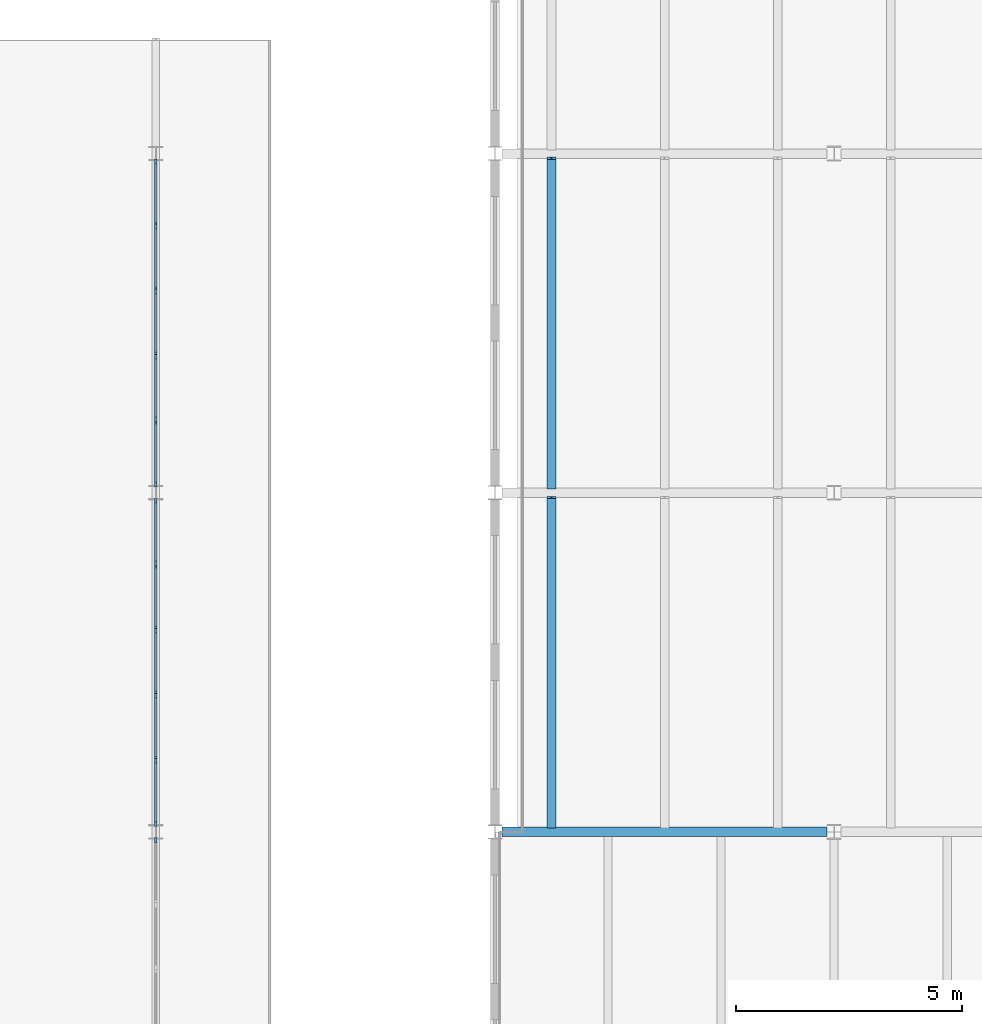
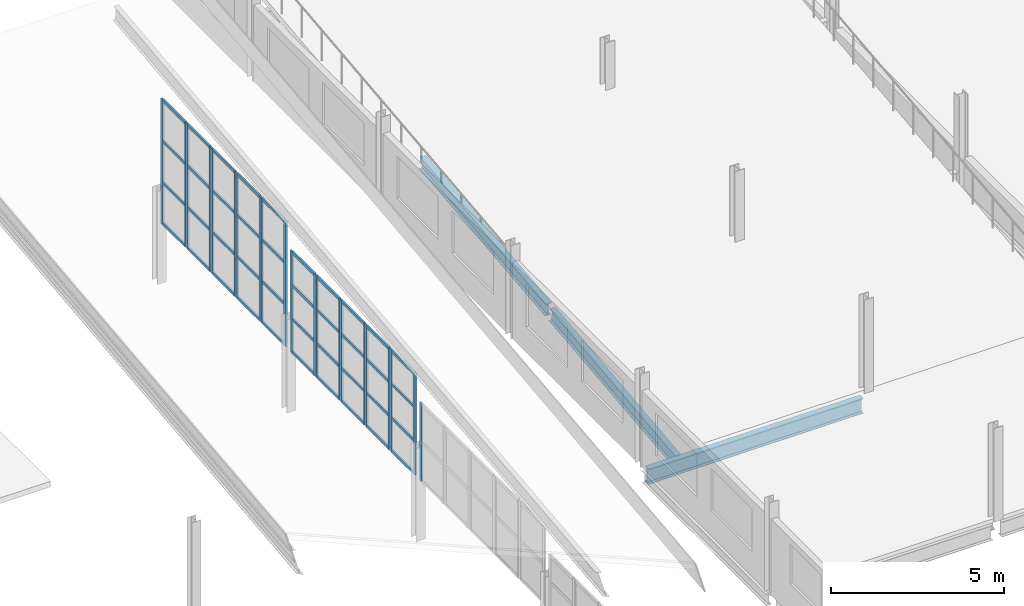
# One storey, part 41 of 199: 61 members, 3 beams, 11 elements without a shape of their own.
"""IFC4 building model written with IfcOpenShell, lengths in metres."""

from ifc_helpers import new_model, si_unit, direction, frame, origin, origin_2d, place, context, subcontext, project, spatial, rectangle, i_section, extrude, material, material_profile, profile_set, type_object, element, aggregate, save


model = new_model("IFC4")

# Units and contexts
model_context = context("Model", 3, precision=1e-05, world=origin(), true_north=direction((0.0, 1.0)))
body_context = subcontext(model_context, "Body", "Model", "MODEL_VIEW")
ifc_project = project(units=[si_unit("LENGTHUNIT", "METRE"), si_unit("AREAUNIT", "SQUARE_METRE"), si_unit("VOLUMEUNIT", "CUBIC_METRE"), si_unit("PLANEANGLEUNIT", "RADIAN"), si_unit("MASSUNIT", "GRAM", prefix="KILO")], contexts=[model_context])

# Site, building, storey
site_placement = place(None, origin())
site = spatial("IfcSite", under=ifc_project, at=site_placement, CompositionType="ELEMENT")
building_placement = place(site_placement, origin())
building = spatial("IfcBuilding", under=site, at=building_placement, Name="Parallax Yard Mobility Hub", CompositionType="ELEMENT")
storey_placement = place(building_placement, frame((0.0, 0.0, 9.89990234375)))
storey = spatial("IfcBuildingStorey", under=building, at=storey_placement, Name="L03", CompositionType="ELEMENT", Elevation=9.89990234375)

# Curtain wall, member
ifc_material_1 = material(Name="Thermally broken aluminium curtain wall system", Category="aluminium")
curtain_wall_type = type_object("IfcCurtainWallType", Name="Clerestory glazing run 60 x 120 frame", PredefinedType="NOTDEFINED", material=ifc_material_1)
curtain_wall_1_placement = place(storey_placement, origin())
curtain_wall_1 = element("IfcCurtainWall", 1, at=curtain_wall_1_placement, inside=storey, type_object=curtain_wall_type, Name="Clerestory glazing run Bicycle and shared-mobility hall east bay 4 level L02", PredefinedType="NOTDEFINED")
ifc_material_2 = material(Name="Extruded aluminium", Category="aluminium")
ifc_material_profile_1 = material_profile(ifc_material_2, rectangle(XDim=0.06005859375, YDim=0.1201171875, at=origin_2d()), Name="Mullion 60 x 120")
ifc_profile_set_1 = profile_set([ifc_material_profile_1], Name="Extruded aluminium")
member_type_1 = type_object("IfcMemberType", Name="Mullion 60 x 120", PredefinedType="MULLION", material=ifc_profile_set_1)
member_1_placement = place(storey_placement, frame((172.5, 37.31640625, 2.140625), z_axis=(0.0, 0.0, 1.0), x_axis=(-1.0, 0.0, 0.0)))
member_1 = element("IfcMember", 2, at=member_1_placement, type_object=member_type_1, Name="CW4 mullion 2", PredefinedType="MULLION", context=body_context, shape_type="SweptSolid", body=[
    extrude(rectangle(XDim=0.06005859375, YDim=0.1201171875, at=origin_2d()), origin(), (0.0, 0.0, 1.0), 2.752197265625),
])
aggregate(curtain_wall_1, [member_1])

# Curtain wall, members
curtain_wall_2_placement = place(storey_placement, origin())
curtain_wall_2 = element("IfcCurtainWall", 3, at=curtain_wall_2_placement, inside=storey, type_object=curtain_wall_type, Name="Clerestory glazing run Bicycle and shared-mobility hall east bay 5 level L02", PredefinedType="NOTDEFINED")
member_2_placement = place(storey_placement, frame((172.5, 37.68359375, 2.140625), z_axis=(0.0, 0.0, 1.0), x_axis=(-1.0, 0.0, 0.0)))
member_2 = element("IfcMember", 4, at=member_2_placement, type_object=member_type_1, Name="CW4 mullion 1", PredefinedType="MULLION", context=body_context, shape_type="SweptSolid", body=[
    extrude(rectangle(XDim=0.06005859375, YDim=0.1201171875, at=origin_2d()), origin(), (0.0, 0.0, 1.0), 3.58056640625),
])
member_3_placement = place(storey_placement, frame((172.5, 39.06201171875, 2.140625), z_axis=(0.0, 0.0, 1.0), x_axis=(-1.0, 0.0, 0.0)))
member_3 = element("IfcMember", 5, at=member_3_placement, type_object=member_type_1, Name="CW4 mullion 2", PredefinedType="MULLION", context=body_context, shape_type="SweptSolid", body=[
    extrude(rectangle(XDim=0.06005859375, YDim=0.1201171875, at=origin_2d()), origin(), (0.0, 0.0, 1.0), 3.58056640625),
])

curtain_wall_3_placement = place(storey_placement, origin())
curtain_wall_3 = element("IfcCurtainWall", 6, at=curtain_wall_3_placement, inside=storey, type_object=curtain_wall_type, Name="Clerestory glazing run Bicycle and shared-mobility hall east bay 5 level L02", PredefinedType="NOTDEFINED")
member_4_placement = place(storey_placement, frame((172.5, 39.1220703125, 2.140625), z_axis=(0.0, 0.0, 1.0), x_axis=(-1.0, 0.0, 0.0)))
member_4 = element("IfcMember", 7, at=member_4_placement, type_object=member_type_1, Name="CW4 mullion 1", PredefinedType="MULLION", context=body_context, shape_type="SweptSolid", body=[
    extrude(rectangle(XDim=0.06005859375, YDim=0.1201171875, at=origin_2d()), origin(), (0.0, 0.0, 1.0), 3.58056640625),
])
member_5_placement = place(storey_placement, frame((172.5, 40.500732421875, 2.140625), z_axis=(0.0, 0.0, 1.0), x_axis=(-1.0, 0.0, 0.0)))
member_5 = element("IfcMember", 8, at=member_5_placement, type_object=member_type_1, Name="CW4 mullion 2", PredefinedType="MULLION", context=body_context, shape_type="SweptSolid", body=[
    extrude(rectangle(XDim=0.06005859375, YDim=0.1201171875, at=origin_2d()), origin(), (0.0, 0.0, 1.0), 3.58056640625),
])

curtain_wall_4_placement = place(storey_placement, origin())
curtain_wall_4 = element("IfcCurtainWall", 9, at=curtain_wall_4_placement, inside=storey, type_object=curtain_wall_type, Name="Clerestory glazing run Bicycle and shared-mobility hall east bay 5 level L02", PredefinedType="NOTDEFINED")
member_6_placement = place(storey_placement, frame((172.5, 40.560791015625, 2.140625), z_axis=(0.0, 0.0, 1.0), x_axis=(-1.0, 0.0, 0.0)))
member_6 = element("IfcMember", 10, at=member_6_placement, type_object=member_type_1, Name="CW4 mullion 1", PredefinedType="MULLION", context=body_context, shape_type="SweptSolid", body=[
    extrude(rectangle(XDim=0.06005859375, YDim=0.1201171875, at=origin_2d()), origin(), (0.0, 0.0, 1.0), 3.58056640625),
])
member_7_placement = place(storey_placement, frame((172.5, 41.939208984375, 2.140625), z_axis=(0.0, 0.0, 1.0), x_axis=(-1.0, 0.0, 0.0)))
member_7 = element("IfcMember", 11, at=member_7_placement, type_object=member_type_1, Name="CW4 mullion 2", PredefinedType="MULLION", context=body_context, shape_type="SweptSolid", body=[
    extrude(rectangle(XDim=0.06005859375, YDim=0.1201171875, at=origin_2d()), origin(), (0.0, 0.0, 1.0), 3.58056640625),
])

curtain_wall_5_placement = place(storey_placement, origin())
curtain_wall_5 = element("IfcCurtainWall", 12, at=curtain_wall_5_placement, inside=storey, type_object=curtain_wall_type, Name="Clerestory glazing run Bicycle and shared-mobility hall east bay 5 level L02", PredefinedType="NOTDEFINED")
member_8_placement = place(storey_placement, frame((172.5, 41.999267578125, 2.140625), z_axis=(0.0, 0.0, 1.0), x_axis=(-1.0, 0.0, 0.0)))
member_8 = element("IfcMember", 13, at=member_8_placement, type_object=member_type_1, Name="CW4 mullion 1", PredefinedType="MULLION", context=body_context, shape_type="SweptSolid", body=[
    extrude(rectangle(XDim=0.06005859375, YDim=0.1201171875, at=origin_2d()), origin(), (0.0, 0.0, 1.0), 3.58056640625),
])
member_9_placement = place(storey_placement, frame((172.5, 43.3779296875, 2.140625), z_axis=(0.0, 0.0, 1.0), x_axis=(-1.0, 0.0, 0.0)))
member_9 = element("IfcMember", 14, at=member_9_placement, type_object=member_type_1, Name="CW4 mullion 2", PredefinedType="MULLION", context=body_context, shape_type="SweptSolid", body=[
    extrude(rectangle(XDim=0.06005859375, YDim=0.1201171875, at=origin_2d()), origin(), (0.0, 0.0, 1.0), 3.58056640625),
])

curtain_wall_6_placement = place(storey_placement, origin())
curtain_wall_6 = element("IfcCurtainWall", 15, at=curtain_wall_6_placement, inside=storey, type_object=curtain_wall_type, Name="Clerestory glazing run Bicycle and shared-mobility hall east bay 5 level L02", PredefinedType="NOTDEFINED")
member_10_placement = place(storey_placement, frame((172.5, 43.43798828125, 2.140625), z_axis=(0.0, 0.0, 1.0), x_axis=(-1.0, 0.0, 0.0)))
member_10 = element("IfcMember", 16, at=member_10_placement, type_object=member_type_1, Name="CW4 mullion 1", PredefinedType="MULLION", context=body_context, shape_type="SweptSolid", body=[
    extrude(rectangle(XDim=0.06005859375, YDim=0.1201171875, at=origin_2d()), origin(), (0.0, 0.0, 1.0), 3.58056640625),
])
member_11_placement = place(storey_placement, frame((172.5, 44.81640625, 2.140625), z_axis=(0.0, 0.0, 1.0), x_axis=(-1.0, 0.0, 0.0)))
member_11 = element("IfcMember", 17, at=member_11_placement, type_object=member_type_1, Name="CW4 mullion 2", PredefinedType="MULLION", context=body_context, shape_type="SweptSolid", body=[
    extrude(rectangle(XDim=0.06005859375, YDim=0.1201171875, at=origin_2d()), origin(), (0.0, 0.0, 1.0), 3.58056640625),
])

curtain_wall_7_placement = place(storey_placement, origin())
curtain_wall_7 = element("IfcCurtainWall", 18, at=curtain_wall_7_placement, inside=storey, type_object=curtain_wall_type, Name="Clerestory glazing run Bicycle and shared-mobility hall east bay 6 level L02", PredefinedType="NOTDEFINED")
member_12_placement = place(storey_placement, frame((172.5, 45.18359375, 2.140625), z_axis=(0.0, 0.0, 1.0), x_axis=(-1.0, 0.0, 0.0)))
member_12 = element("IfcMember", 19, at=member_12_placement, type_object=member_type_1, Name="CW4 mullion 1", PredefinedType="MULLION", context=body_context, shape_type="SweptSolid", body=[
    extrude(rectangle(XDim=0.06005859375, YDim=0.1201171875, at=origin_2d()), origin(), (0.0, 0.0, 1.0), 4.408935546875),
])
member_13_placement = place(storey_placement, frame((172.5, 46.56201171875, 2.140625), z_axis=(0.0, 0.0, 1.0), x_axis=(-1.0, 0.0, 0.0)))
member_13 = element("IfcMember", 20, at=member_13_placement, type_object=member_type_1, Name="CW4 mullion 2", PredefinedType="MULLION", context=body_context, shape_type="SweptSolid", body=[
    extrude(rectangle(XDim=0.06005859375, YDim=0.1201171875, at=origin_2d()), origin(), (0.0, 0.0, 1.0), 4.408935546875),
])

curtain_wall_8_placement = place(storey_placement, origin())
curtain_wall_8 = element("IfcCurtainWall", 21, at=curtain_wall_8_placement, inside=storey, type_object=curtain_wall_type, Name="Clerestory glazing run Bicycle and shared-mobility hall east bay 6 level L02", PredefinedType="NOTDEFINED")
member_14_placement = place(storey_placement, frame((172.5, 46.6220703125, 2.140625), z_axis=(0.0, 0.0, 1.0), x_axis=(-1.0, 0.0, 0.0)))
member_14 = element("IfcMember", 22, at=member_14_placement, type_object=member_type_1, Name="CW4 mullion 1", PredefinedType="MULLION", context=body_context, shape_type="SweptSolid", body=[
    extrude(rectangle(XDim=0.06005859375, YDim=0.1201171875, at=origin_2d()), origin(), (0.0, 0.0, 1.0), 4.408935546875),
])
member_15_placement = place(storey_placement, frame((172.5, 48.000732421875, 2.140625), z_axis=(0.0, 0.0, 1.0), x_axis=(-1.0, 0.0, 0.0)))
member_15 = element("IfcMember", 23, at=member_15_placement, type_object=member_type_1, Name="CW4 mullion 2", PredefinedType="MULLION", context=body_context, shape_type="SweptSolid", body=[
    extrude(rectangle(XDim=0.06005859375, YDim=0.1201171875, at=origin_2d()), origin(), (0.0, 0.0, 1.0), 4.408935546875),
])

curtain_wall_9_placement = place(storey_placement, origin())
curtain_wall_9 = element("IfcCurtainWall", 24, at=curtain_wall_9_placement, inside=storey, type_object=curtain_wall_type, Name="Clerestory glazing run Bicycle and shared-mobility hall east bay 6 level L02", PredefinedType="NOTDEFINED")
member_16_placement = place(storey_placement, frame((172.5, 48.060791015625, 2.140625), z_axis=(0.0, 0.0, 1.0), x_axis=(-1.0, 0.0, 0.0)))
member_16 = element("IfcMember", 25, at=member_16_placement, type_object=member_type_1, Name="CW4 mullion 1", PredefinedType="MULLION", context=body_context, shape_type="SweptSolid", body=[
    extrude(rectangle(XDim=0.06005859375, YDim=0.1201171875, at=origin_2d()), origin(), (0.0, 0.0, 1.0), 4.408935546875),
])
member_17_placement = place(storey_placement, frame((172.5, 49.439208984375, 2.140625), z_axis=(0.0, 0.0, 1.0), x_axis=(-1.0, 0.0, 0.0)))
member_17 = element("IfcMember", 26, at=member_17_placement, type_object=member_type_1, Name="CW4 mullion 2", PredefinedType="MULLION", context=body_context, shape_type="SweptSolid", body=[
    extrude(rectangle(XDim=0.06005859375, YDim=0.1201171875, at=origin_2d()), origin(), (0.0, 0.0, 1.0), 4.408935546875),
])

curtain_wall_10_placement = place(storey_placement, origin())
curtain_wall_10 = element("IfcCurtainWall", 27, at=curtain_wall_10_placement, inside=storey, type_object=curtain_wall_type, Name="Clerestory glazing run Bicycle and shared-mobility hall east bay 6 level L02", PredefinedType="NOTDEFINED")
member_18_placement = place(storey_placement, frame((172.5, 49.499267578125, 2.140625), z_axis=(0.0, 0.0, 1.0), x_axis=(-1.0, 0.0, 0.0)))
member_18 = element("IfcMember", 28, at=member_18_placement, type_object=member_type_1, Name="CW4 mullion 1", PredefinedType="MULLION", context=body_context, shape_type="SweptSolid", body=[
    extrude(rectangle(XDim=0.06005859375, YDim=0.1201171875, at=origin_2d()), origin(), (0.0, 0.0, 1.0), 4.408935546875),
])
member_19_placement = place(storey_placement, frame((172.5, 50.8779296875, 2.140625), z_axis=(0.0, 0.0, 1.0), x_axis=(-1.0, 0.0, 0.0)))
member_19 = element("IfcMember", 29, at=member_19_placement, type_object=member_type_1, Name="CW4 mullion 2", PredefinedType="MULLION", context=body_context, shape_type="SweptSolid", body=[
    extrude(rectangle(XDim=0.06005859375, YDim=0.1201171875, at=origin_2d()), origin(), (0.0, 0.0, 1.0), 4.408935546875),
])

curtain_wall_11_placement = place(storey_placement, origin())
curtain_wall_11 = element("IfcCurtainWall", 30, at=curtain_wall_11_placement, inside=storey, type_object=curtain_wall_type, Name="Clerestory glazing run Bicycle and shared-mobility hall east bay 6 level L02", PredefinedType="NOTDEFINED")
member_20_placement = place(storey_placement, frame((172.5, 50.93798828125, 2.140625), z_axis=(0.0, 0.0, 1.0), x_axis=(-1.0, 0.0, 0.0)))
member_20 = element("IfcMember", 31, at=member_20_placement, type_object=member_type_1, Name="CW4 mullion 1", PredefinedType="MULLION", context=body_context, shape_type="SweptSolid", body=[
    extrude(rectangle(XDim=0.06005859375, YDim=0.1201171875, at=origin_2d()), origin(), (0.0, 0.0, 1.0), 4.408935546875),
])
member_21_placement = place(storey_placement, frame((172.5, 52.31640625, 2.140625), z_axis=(0.0, 0.0, 1.0), x_axis=(-1.0, 0.0, 0.0)))
member_21 = element("IfcMember", 32, at=member_21_placement, type_object=member_type_1, Name="CW4 mullion 2", PredefinedType="MULLION", context=body_context, shape_type="SweptSolid", body=[
    extrude(rectangle(XDim=0.06005859375, YDim=0.1201171875, at=origin_2d()), origin(), (0.0, 0.0, 1.0), 4.408935546875),
])

# Member
ifc_material_profile_2 = material_profile(ifc_material_2, rectangle(XDim=0.06005859375, YDim=0.10009765625, at=origin_2d()), Name="Transom 60 x 100")
ifc_profile_set_2 = profile_set([ifc_material_profile_2], Name="Extruded aluminium")
member_type_2 = type_object("IfcMemberType", Name="Transom 60 x 100", PredefinedType="USERDEFINED", material=ifc_profile_set_2)
member_22_placement = place(storey_placement, frame((172.5, 37.71337890625, 2.170654296875), z_axis=(0.0, 1.0, 0.0), x_axis=(-1.0, 0.0, 0.0)))
member_22 = element("IfcMember", 33, at=member_22_placement, type_object=member_type_2, Name="CW4 transom 1.1", ObjectType="TRANSOM", PredefinedType="USERDEFINED", context=body_context, shape_type="SweptSolid", body=[
    extrude(rectangle(XDim=0.06005859375, YDim=0.10009765625, at=origin_2d()), origin(), (0.0, 0.0, 1.0), 1.318603515625),
])

member_23_placement = place(storey_placement, frame((172.5, 37.71337890625, 3.333984375), z_axis=(0.0, 1.0, 0.0), x_axis=(-1.0, 0.0, 0.0)))
member_23 = element("IfcMember", 34, at=member_23_placement, type_object=member_type_2, Name="CW4 transom 1.2", ObjectType="TRANSOM", PredefinedType="USERDEFINED", context=body_context, shape_type="SweptSolid", body=[
    extrude(rectangle(XDim=0.06005859375, YDim=0.10009765625, at=origin_2d()), origin(), (0.0, 0.0, 1.0), 1.318603515625),
])

member_24_placement = place(storey_placement, frame((172.5, 37.71337890625, 4.527587890625), z_axis=(0.0, 1.0, 0.0), x_axis=(-1.0, 0.0, 0.0)))
member_24 = element("IfcMember", 35, at=member_24_placement, type_object=member_type_2, Name="CW4 transom 1.3", ObjectType="TRANSOM", PredefinedType="USERDEFINED", context=body_context, shape_type="SweptSolid", body=[
    extrude(rectangle(XDim=0.06005859375, YDim=0.10009765625, at=origin_2d()), origin(), (0.0, 0.0, 1.0), 1.318603515625),
])

member_25_placement = place(storey_placement, frame((172.5, 37.71337890625, 5.691162109375), z_axis=(0.0, 1.0, 0.0), x_axis=(-1.0, 0.0, 0.0)))
member_25 = element("IfcMember", 36, at=member_25_placement, type_object=member_type_2, Name="CW4 transom 1.4", ObjectType="TRANSOM", PredefinedType="USERDEFINED", context=body_context, shape_type="SweptSolid", body=[
    extrude(rectangle(XDim=0.06005859375, YDim=0.10009765625, at=origin_2d()), origin(), (0.0, 0.0, 1.0), 1.318603515625),
])

aggregate(curtain_wall_2, [member_2, member_3, member_22, member_23, member_24, member_25])

member_26_placement = place(storey_placement, frame((172.5, 39.152099609375, 2.170654296875), z_axis=(0.0, 1.0, 0.0), x_axis=(-1.0, 0.0, 0.0)))
member_26 = element("IfcMember", 37, at=member_26_placement, type_object=member_type_2, Name="CW4 transom 1.1", ObjectType="TRANSOM", PredefinedType="USERDEFINED", context=body_context, shape_type="SweptSolid", body=[
    extrude(rectangle(XDim=0.06005859375, YDim=0.10009765625, at=origin_2d()), origin(), (0.0, 0.0, 1.0), 1.318603515625),
])

member_27_placement = place(storey_placement, frame((172.5, 39.152099609375, 3.333984375), z_axis=(0.0, 1.0, 0.0), x_axis=(-1.0, 0.0, 0.0)))
member_27 = element("IfcMember", 38, at=member_27_placement, type_object=member_type_2, Name="CW4 transom 1.2", ObjectType="TRANSOM", PredefinedType="USERDEFINED", context=body_context, shape_type="SweptSolid", body=[
    extrude(rectangle(XDim=0.06005859375, YDim=0.10009765625, at=origin_2d()), origin(), (0.0, 0.0, 1.0), 1.318603515625),
])

member_28_placement = place(storey_placement, frame((172.5, 39.152099609375, 4.527587890625), z_axis=(0.0, 1.0, 0.0), x_axis=(-1.0, 0.0, 0.0)))
member_28 = element("IfcMember", 39, at=member_28_placement, type_object=member_type_2, Name="CW4 transom 1.3", ObjectType="TRANSOM", PredefinedType="USERDEFINED", context=body_context, shape_type="SweptSolid", body=[
    extrude(rectangle(XDim=0.06005859375, YDim=0.10009765625, at=origin_2d()), origin(), (0.0, 0.0, 1.0), 1.318603515625),
])

member_29_placement = place(storey_placement, frame((172.5, 39.152099609375, 5.691162109375), z_axis=(0.0, 1.0, 0.0), x_axis=(-1.0, 0.0, 0.0)))
member_29 = element("IfcMember", 40, at=member_29_placement, type_object=member_type_2, Name="CW4 transom 1.4", ObjectType="TRANSOM", PredefinedType="USERDEFINED", context=body_context, shape_type="SweptSolid", body=[
    extrude(rectangle(XDim=0.06005859375, YDim=0.10009765625, at=origin_2d()), origin(), (0.0, 0.0, 1.0), 1.318603515625),
])

aggregate(curtain_wall_3, [member_4, member_5, member_26, member_27, member_28, member_29])

member_30_placement = place(storey_placement, frame((172.5, 40.5908203125, 2.170654296875), z_axis=(0.0, 1.0, 0.0), x_axis=(-1.0, 0.0, 0.0)))
member_30 = element("IfcMember", 41, at=member_30_placement, type_object=member_type_2, Name="CW4 transom 1.1", ObjectType="TRANSOM", PredefinedType="USERDEFINED", context=body_context, shape_type="SweptSolid", body=[
    extrude(rectangle(XDim=0.06005859375, YDim=0.10009765625, at=origin_2d()), origin(), (0.0, 0.0, 1.0), 1.318359375),
])

member_31_placement = place(storey_placement, frame((172.5, 40.5908203125, 3.333984375), z_axis=(0.0, 1.0, 0.0), x_axis=(-1.0, 0.0, 0.0)))
member_31 = element("IfcMember", 42, at=member_31_placement, type_object=member_type_2, Name="CW4 transom 1.2", ObjectType="TRANSOM", PredefinedType="USERDEFINED", context=body_context, shape_type="SweptSolid", body=[
    extrude(rectangle(XDim=0.06005859375, YDim=0.10009765625, at=origin_2d()), origin(), (0.0, 0.0, 1.0), 1.318359375),
])

member_32_placement = place(storey_placement, frame((172.5, 40.5908203125, 4.527587890625), z_axis=(0.0, 1.0, 0.0), x_axis=(-1.0, 0.0, 0.0)))
member_32 = element("IfcMember", 43, at=member_32_placement, type_object=member_type_2, Name="CW4 transom 1.3", ObjectType="TRANSOM", PredefinedType="USERDEFINED", context=body_context, shape_type="SweptSolid", body=[
    extrude(rectangle(XDim=0.06005859375, YDim=0.10009765625, at=origin_2d()), origin(), (0.0, 0.0, 1.0), 1.318359375),
])

member_33_placement = place(storey_placement, frame((172.5, 40.5908203125, 5.691162109375), z_axis=(0.0, 1.0, 0.0), x_axis=(-1.0, 0.0, 0.0)))
member_33 = element("IfcMember", 44, at=member_33_placement, type_object=member_type_2, Name="CW4 transom 1.4", ObjectType="TRANSOM", PredefinedType="USERDEFINED", context=body_context, shape_type="SweptSolid", body=[
    extrude(rectangle(XDim=0.06005859375, YDim=0.10009765625, at=origin_2d()), origin(), (0.0, 0.0, 1.0), 1.318359375),
])

aggregate(curtain_wall_4, [member_6, member_7, member_30, member_31, member_32, member_33])

member_34_placement = place(storey_placement, frame((172.5, 42.029296875, 2.170654296875), z_axis=(0.0, 1.0, 0.0), x_axis=(-1.0, 0.0, 0.0)))
member_34 = element("IfcMember", 45, at=member_34_placement, type_object=member_type_2, Name="CW4 transom 1.1", ObjectType="TRANSOM", PredefinedType="USERDEFINED", context=body_context, shape_type="SweptSolid", body=[
    extrude(rectangle(XDim=0.06005859375, YDim=0.10009765625, at=origin_2d()), origin(), (0.0, 0.0, 1.0), 1.318603515625),
])

member_35_placement = place(storey_placement, frame((172.5, 42.029296875, 3.333984375), z_axis=(0.0, 1.0, 0.0), x_axis=(-1.0, 0.0, 0.0)))
member_35 = element("IfcMember", 46, at=member_35_placement, type_object=member_type_2, Name="CW4 transom 1.2", ObjectType="TRANSOM", PredefinedType="USERDEFINED", context=body_context, shape_type="SweptSolid", body=[
    extrude(rectangle(XDim=0.06005859375, YDim=0.10009765625, at=origin_2d()), origin(), (0.0, 0.0, 1.0), 1.318603515625),
])

member_36_placement = place(storey_placement, frame((172.5, 42.029296875, 4.527587890625), z_axis=(0.0, 1.0, 0.0), x_axis=(-1.0, 0.0, 0.0)))
member_36 = element("IfcMember", 47, at=member_36_placement, type_object=member_type_2, Name="CW4 transom 1.3", ObjectType="TRANSOM", PredefinedType="USERDEFINED", context=body_context, shape_type="SweptSolid", body=[
    extrude(rectangle(XDim=0.06005859375, YDim=0.10009765625, at=origin_2d()), origin(), (0.0, 0.0, 1.0), 1.318603515625),
])

member_37_placement = place(storey_placement, frame((172.5, 42.029296875, 5.691162109375), z_axis=(0.0, 1.0, 0.0), x_axis=(-1.0, 0.0, 0.0)))
member_37 = element("IfcMember", 48, at=member_37_placement, type_object=member_type_2, Name="CW4 transom 1.4", ObjectType="TRANSOM", PredefinedType="USERDEFINED", context=body_context, shape_type="SweptSolid", body=[
    extrude(rectangle(XDim=0.06005859375, YDim=0.10009765625, at=origin_2d()), origin(), (0.0, 0.0, 1.0), 1.318603515625),
])

aggregate(curtain_wall_5, [member_8, member_9, member_34, member_35, member_36, member_37])

member_38_placement = place(storey_placement, frame((172.5, 43.468017578125, 2.170654296875), z_axis=(0.0, 1.0, 0.0), x_axis=(-1.0, 0.0, 0.0)))
member_38 = element("IfcMember", 49, at=member_38_placement, type_object=member_type_2, Name="CW4 transom 1.1", ObjectType="TRANSOM", PredefinedType="USERDEFINED", context=body_context, shape_type="SweptSolid", body=[
    extrude(rectangle(XDim=0.06005859375, YDim=0.10009765625, at=origin_2d()), origin(), (0.0, 0.0, 1.0), 1.318603515625),
])

member_39_placement = place(storey_placement, frame((172.5, 43.468017578125, 3.333984375), z_axis=(0.0, 1.0, 0.0), x_axis=(-1.0, 0.0, 0.0)))
member_39 = element("IfcMember", 50, at=member_39_placement, type_object=member_type_2, Name="CW4 transom 1.2", ObjectType="TRANSOM", PredefinedType="USERDEFINED", context=body_context, shape_type="SweptSolid", body=[
    extrude(rectangle(XDim=0.06005859375, YDim=0.10009765625, at=origin_2d()), origin(), (0.0, 0.0, 1.0), 1.318603515625),
])

member_40_placement = place(storey_placement, frame((172.5, 43.468017578125, 4.527587890625), z_axis=(0.0, 1.0, 0.0), x_axis=(-1.0, 0.0, 0.0)))
member_40 = element("IfcMember", 51, at=member_40_placement, type_object=member_type_2, Name="CW4 transom 1.3", ObjectType="TRANSOM", PredefinedType="USERDEFINED", context=body_context, shape_type="SweptSolid", body=[
    extrude(rectangle(XDim=0.06005859375, YDim=0.10009765625, at=origin_2d()), origin(), (0.0, 0.0, 1.0), 1.318603515625),
])

member_41_placement = place(storey_placement, frame((172.5, 43.468017578125, 5.691162109375), z_axis=(0.0, 1.0, 0.0), x_axis=(-1.0, 0.0, 0.0)))
member_41 = element("IfcMember", 52, at=member_41_placement, type_object=member_type_2, Name="CW4 transom 1.4", ObjectType="TRANSOM", PredefinedType="USERDEFINED", context=body_context, shape_type="SweptSolid", body=[
    extrude(rectangle(XDim=0.06005859375, YDim=0.10009765625, at=origin_2d()), origin(), (0.0, 0.0, 1.0), 1.318603515625),
])

aggregate(curtain_wall_6, [member_10, member_11, member_38, member_39, member_40, member_41])

member_42_placement = place(storey_placement, frame((172.5, 45.21337890625, 2.170654296875), z_axis=(0.0, 1.0, 0.0), x_axis=(-1.0, 0.0, 0.0)))
member_42 = element("IfcMember", 53, at=member_42_placement, type_object=member_type_2, Name="CW4 transom 1.1", ObjectType="TRANSOM", PredefinedType="USERDEFINED", context=body_context, shape_type="SweptSolid", body=[
    extrude(rectangle(XDim=0.06005859375, YDim=0.10009765625, at=origin_2d()), origin(), (0.0, 0.0, 1.0), 1.318603515625),
])

member_43_placement = place(storey_placement, frame((172.5, 45.21337890625, 3.6103515625), z_axis=(0.0, 1.0, 0.0), x_axis=(-1.0, 0.0, 0.0)))
member_43 = element("IfcMember", 54, at=member_43_placement, type_object=member_type_2, Name="CW4 transom 1.2", ObjectType="TRANSOM", PredefinedType="USERDEFINED", context=body_context, shape_type="SweptSolid", body=[
    extrude(rectangle(XDim=0.06005859375, YDim=0.10009765625, at=origin_2d()), origin(), (0.0, 0.0, 1.0), 1.318603515625),
])

member_44_placement = place(storey_placement, frame((172.5, 45.21337890625, 5.079833984375), z_axis=(0.0, 1.0, 0.0), x_axis=(-1.0, 0.0, 0.0)))
member_44 = element("IfcMember", 55, at=member_44_placement, type_object=member_type_2, Name="CW4 transom 1.3", ObjectType="TRANSOM", PredefinedType="USERDEFINED", context=body_context, shape_type="SweptSolid", body=[
    extrude(rectangle(XDim=0.06005859375, YDim=0.10009765625, at=origin_2d()), origin(), (0.0, 0.0, 1.0), 1.318603515625),
])

member_45_placement = place(storey_placement, frame((172.5, 45.21337890625, 6.51953125), z_axis=(0.0, 1.0, 0.0), x_axis=(-1.0, 0.0, 0.0)))
member_45 = element("IfcMember", 56, at=member_45_placement, type_object=member_type_2, Name="CW4 transom 1.4", ObjectType="TRANSOM", PredefinedType="USERDEFINED", context=body_context, shape_type="SweptSolid", body=[
    extrude(rectangle(XDim=0.06005859375, YDim=0.10009765625, at=origin_2d()), origin(), (0.0, 0.0, 1.0), 1.318603515625),
])

aggregate(curtain_wall_7, [member_12, member_13, member_42, member_43, member_44, member_45])

member_46_placement = place(storey_placement, frame((172.5, 46.652099609375, 2.170654296875), z_axis=(0.0, 1.0, 0.0), x_axis=(-1.0, 0.0, 0.0)))
member_46 = element("IfcMember", 57, at=member_46_placement, type_object=member_type_2, Name="CW4 transom 1.1", ObjectType="TRANSOM", PredefinedType="USERDEFINED", context=body_context, shape_type="SweptSolid", body=[
    extrude(rectangle(XDim=0.06005859375, YDim=0.10009765625, at=origin_2d()), origin(), (0.0, 0.0, 1.0), 1.318603515625),
])

member_47_placement = place(storey_placement, frame((172.5, 46.652099609375, 3.6103515625), z_axis=(0.0, 1.0, 0.0), x_axis=(-1.0, 0.0, 0.0)))
member_47 = element("IfcMember", 58, at=member_47_placement, type_object=member_type_2, Name="CW4 transom 1.2", ObjectType="TRANSOM", PredefinedType="USERDEFINED", context=body_context, shape_type="SweptSolid", body=[
    extrude(rectangle(XDim=0.06005859375, YDim=0.10009765625, at=origin_2d()), origin(), (0.0, 0.0, 1.0), 1.318603515625),
])

member_48_placement = place(storey_placement, frame((172.5, 46.652099609375, 5.079833984375), z_axis=(0.0, 1.0, 0.0), x_axis=(-1.0, 0.0, 0.0)))
member_48 = element("IfcMember", 59, at=member_48_placement, type_object=member_type_2, Name="CW4 transom 1.3", ObjectType="TRANSOM", PredefinedType="USERDEFINED", context=body_context, shape_type="SweptSolid", body=[
    extrude(rectangle(XDim=0.06005859375, YDim=0.10009765625, at=origin_2d()), origin(), (0.0, 0.0, 1.0), 1.318603515625),
])

member_49_placement = place(storey_placement, frame((172.5, 46.652099609375, 6.51953125), z_axis=(0.0, 1.0, 0.0), x_axis=(-1.0, 0.0, 0.0)))
member_49 = element("IfcMember", 60, at=member_49_placement, type_object=member_type_2, Name="CW4 transom 1.4", ObjectType="TRANSOM", PredefinedType="USERDEFINED", context=body_context, shape_type="SweptSolid", body=[
    extrude(rectangle(XDim=0.06005859375, YDim=0.10009765625, at=origin_2d()), origin(), (0.0, 0.0, 1.0), 1.318603515625),
])

aggregate(curtain_wall_8, [member_14, member_15, member_46, member_47, member_48, member_49])

member_50_placement = place(storey_placement, frame((172.5, 48.0908203125, 2.170654296875), z_axis=(0.0, 1.0, 0.0), x_axis=(-1.0, 0.0, 0.0)))
member_50 = element("IfcMember", 61, at=member_50_placement, type_object=member_type_2, Name="CW4 transom 1.1", ObjectType="TRANSOM", PredefinedType="USERDEFINED", context=body_context, shape_type="SweptSolid", body=[
    extrude(rectangle(XDim=0.06005859375, YDim=0.10009765625, at=origin_2d()), origin(), (0.0, 0.0, 1.0), 1.318359375),
])

member_51_placement = place(storey_placement, frame((172.5, 48.0908203125, 3.6103515625), z_axis=(0.0, 1.0, 0.0), x_axis=(-1.0, 0.0, 0.0)))
member_51 = element("IfcMember", 62, at=member_51_placement, type_object=member_type_2, Name="CW4 transom 1.2", ObjectType="TRANSOM", PredefinedType="USERDEFINED", context=body_context, shape_type="SweptSolid", body=[
    extrude(rectangle(XDim=0.06005859375, YDim=0.10009765625, at=origin_2d()), origin(), (0.0, 0.0, 1.0), 1.318359375),
])

member_52_placement = place(storey_placement, frame((172.5, 48.0908203125, 5.079833984375), z_axis=(0.0, 1.0, 0.0), x_axis=(-1.0, 0.0, 0.0)))
member_52 = element("IfcMember", 63, at=member_52_placement, type_object=member_type_2, Name="CW4 transom 1.3", ObjectType="TRANSOM", PredefinedType="USERDEFINED", context=body_context, shape_type="SweptSolid", body=[
    extrude(rectangle(XDim=0.06005859375, YDim=0.10009765625, at=origin_2d()), origin(), (0.0, 0.0, 1.0), 1.318359375),
])

member_53_placement = place(storey_placement, frame((172.5, 48.0908203125, 6.51953125), z_axis=(0.0, 1.0, 0.0), x_axis=(-1.0, 0.0, 0.0)))
member_53 = element("IfcMember", 64, at=member_53_placement, type_object=member_type_2, Name="CW4 transom 1.4", ObjectType="TRANSOM", PredefinedType="USERDEFINED", context=body_context, shape_type="SweptSolid", body=[
    extrude(rectangle(XDim=0.06005859375, YDim=0.10009765625, at=origin_2d()), origin(), (0.0, 0.0, 1.0), 1.318359375),
])

aggregate(curtain_wall_9, [member_16, member_17, member_50, member_51, member_52, member_53])

member_54_placement = place(storey_placement, frame((172.5, 49.529296875, 2.170654296875), z_axis=(0.0, 1.0, 0.0), x_axis=(-1.0, 0.0, 0.0)))
member_54 = element("IfcMember", 65, at=member_54_placement, type_object=member_type_2, Name="CW4 transom 1.1", ObjectType="TRANSOM", PredefinedType="USERDEFINED", context=body_context, shape_type="SweptSolid", body=[
    extrude(rectangle(XDim=0.06005859375, YDim=0.10009765625, at=origin_2d()), origin(), (0.0, 0.0, 1.0), 1.318603515625),
])

member_55_placement = place(storey_placement, frame((172.5, 49.529296875, 3.6103515625), z_axis=(0.0, 1.0, 0.0), x_axis=(-1.0, 0.0, 0.0)))
member_55 = element("IfcMember", 66, at=member_55_placement, type_object=member_type_2, Name="CW4 transom 1.2", ObjectType="TRANSOM", PredefinedType="USERDEFINED", context=body_context, shape_type="SweptSolid", body=[
    extrude(rectangle(XDim=0.06005859375, YDim=0.10009765625, at=origin_2d()), origin(), (0.0, 0.0, 1.0), 1.318603515625),
])

member_56_placement = place(storey_placement, frame((172.5, 49.529296875, 5.079833984375), z_axis=(0.0, 1.0, 0.0), x_axis=(-1.0, 0.0, 0.0)))
member_56 = element("IfcMember", 67, at=member_56_placement, type_object=member_type_2, Name="CW4 transom 1.3", ObjectType="TRANSOM", PredefinedType="USERDEFINED", context=body_context, shape_type="SweptSolid", body=[
    extrude(rectangle(XDim=0.06005859375, YDim=0.10009765625, at=origin_2d()), origin(), (0.0, 0.0, 1.0), 1.318603515625),
])

member_57_placement = place(storey_placement, frame((172.5, 49.529296875, 6.51953125), z_axis=(0.0, 1.0, 0.0), x_axis=(-1.0, 0.0, 0.0)))
member_57 = element("IfcMember", 68, at=member_57_placement, type_object=member_type_2, Name="CW4 transom 1.4", ObjectType="TRANSOM", PredefinedType="USERDEFINED", context=body_context, shape_type="SweptSolid", body=[
    extrude(rectangle(XDim=0.06005859375, YDim=0.10009765625, at=origin_2d()), origin(), (0.0, 0.0, 1.0), 1.318603515625),
])

aggregate(curtain_wall_10, [member_18, member_19, member_54, member_55, member_56, member_57])

member_58_placement = place(storey_placement, frame((172.5, 50.968017578125, 2.170654296875), z_axis=(0.0, 1.0, 0.0), x_axis=(-1.0, 0.0, 0.0)))
member_58 = element("IfcMember", 69, at=member_58_placement, type_object=member_type_2, Name="CW4 transom 1.1", ObjectType="TRANSOM", PredefinedType="USERDEFINED", context=body_context, shape_type="SweptSolid", body=[
    extrude(rectangle(XDim=0.06005859375, YDim=0.10009765625, at=origin_2d()), origin(), (0.0, 0.0, 1.0), 1.318603515625),
])

member_59_placement = place(storey_placement, frame((172.5, 50.968017578125, 3.6103515625), z_axis=(0.0, 1.0, 0.0), x_axis=(-1.0, 0.0, 0.0)))
member_59 = element("IfcMember", 70, at=member_59_placement, type_object=member_type_2, Name="CW4 transom 1.2", ObjectType="TRANSOM", PredefinedType="USERDEFINED", context=body_context, shape_type="SweptSolid", body=[
    extrude(rectangle(XDim=0.06005859375, YDim=0.10009765625, at=origin_2d()), origin(), (0.0, 0.0, 1.0), 1.318603515625),
])

member_60_placement = place(storey_placement, frame((172.5, 50.968017578125, 5.079833984375), z_axis=(0.0, 1.0, 0.0), x_axis=(-1.0, 0.0, 0.0)))
member_60 = element("IfcMember", 71, at=member_60_placement, type_object=member_type_2, Name="CW4 transom 1.3", ObjectType="TRANSOM", PredefinedType="USERDEFINED", context=body_context, shape_type="SweptSolid", body=[
    extrude(rectangle(XDim=0.06005859375, YDim=0.10009765625, at=origin_2d()), origin(), (0.0, 0.0, 1.0), 1.318603515625),
])

member_61_placement = place(storey_placement, frame((172.5, 50.968017578125, 6.51953125), z_axis=(0.0, 1.0, 0.0), x_axis=(-1.0, 0.0, 0.0)))
member_61 = element("IfcMember", 72, at=member_61_placement, type_object=member_type_2, Name="CW4 transom 1.4", ObjectType="TRANSOM", PredefinedType="USERDEFINED", context=body_context, shape_type="SweptSolid", body=[
    extrude(rectangle(XDim=0.06005859375, YDim=0.10009765625, at=origin_2d()), origin(), (0.0, 0.0, 1.0), 1.318603515625),
])

aggregate(curtain_wall_11, [member_20, member_21, member_58, member_59, member_60, member_61])

# Beams
ifc_material_3 = material(Name="Steel ASTM A992", Category="steel")
ifc_material_profile_3 = material_profile(ifc_material_3, i_section(OverallWidth=0.19091796875, OverallDepth=0.45703125, WebThickness=0.009033203125, FlangeThickness=0.014404296875, FilletRadius=0.01025390625, at=origin_2d()), Name="W460x74")
ifc_profile_set_3 = profile_set([ifc_material_profile_3], Name="Steel ASTM A992")
beam_type_1 = type_object("IfcBeamType", Name="W460x74 ramp beam", PredefinedType="JOIST", material=ifc_profile_set_3)
for number, where, z_axis, x_axis, name in (
    (73, (181.25, 37.6044921875, -0.418212890625), (0.0, 0.994004500635, 0.109339163695), (-1.0, 0.0, 0.0), "Ramp beam RJ1 level L03, ramp RP4 of ramp house, span 1"),
    (74, (181.25, 45.1044921875, 0.40673828125), (0.0, 0.994004500635, 0.109339163695), (-1.0, 0.0, 0.0), "Ramp beam RJ1 level L03, ramp RP4 of ramp house, span 2"),
):
    element("IfcBeam", number, at=place(storey_placement, frame(where, z_axis=z_axis, x_axis=x_axis)), inside=storey, type_object=beam_type_1, Name=name, PredefinedType="JOIST", context=body_context, shape_type="SweptSolid", body=[
        extrude(i_section(OverallWidth=0.19091796875, OverallDepth=0.45703125, WebThickness=0.009033203125, FlangeThickness=0.014404296875, FilletRadius=0.01025390625, at=origin_2d()), origin(), (0.0, 0.0, 1.0), 7.3349609375),
    ])
ifc_material_profile_4 = material_profile(ifc_material_3, i_section(OverallWidth=0.208984375, OverallDepth=0.532958984375, WebThickness=0.01025390625, FlangeThickness=0.015625, FilletRadius=0.0126953125, at=origin_2d()), Name="W530x92")
ifc_profile_set_4 = profile_set([ifc_material_profile_4], Name="Steel ASTM A992")
beam_type_2 = type_object("IfcBeamType", Name="W530x92 girder", PredefinedType="BEAM", material=ifc_profile_set_4)
beam_placement = place(storey_placement, frame((180.152587890625, 37.5, -0.46630859375), z_axis=(1.0, 0.0, 0.0), x_axis=(0.0, 1.0, 0.0)))
element("IfcBeam", 75, at=beam_placement, inside=storey, type_object=beam_type_2, Name="Girder G2 level L03, line F of ramp house, span 1", PredefinedType="BEAM", context=body_context, shape_type="SweptSolid", body=[
    extrude(i_section(OverallWidth=0.208984375, OverallDepth=0.532958984375, WebThickness=0.01025390625, FlangeThickness=0.015625, FilletRadius=0.0126953125, at=origin_2d()), origin(), (0.0, 0.0, 1.0), 7.1923828125),
])

save(model, "model.ifc")
